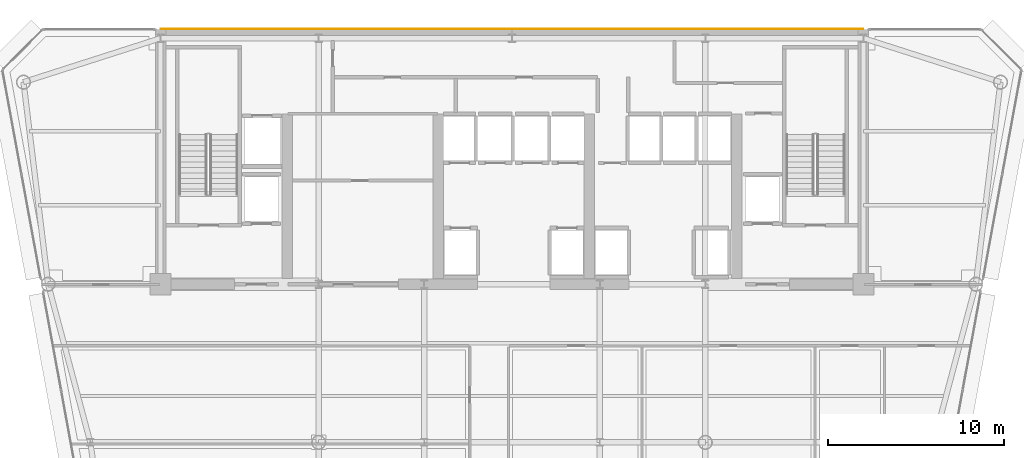
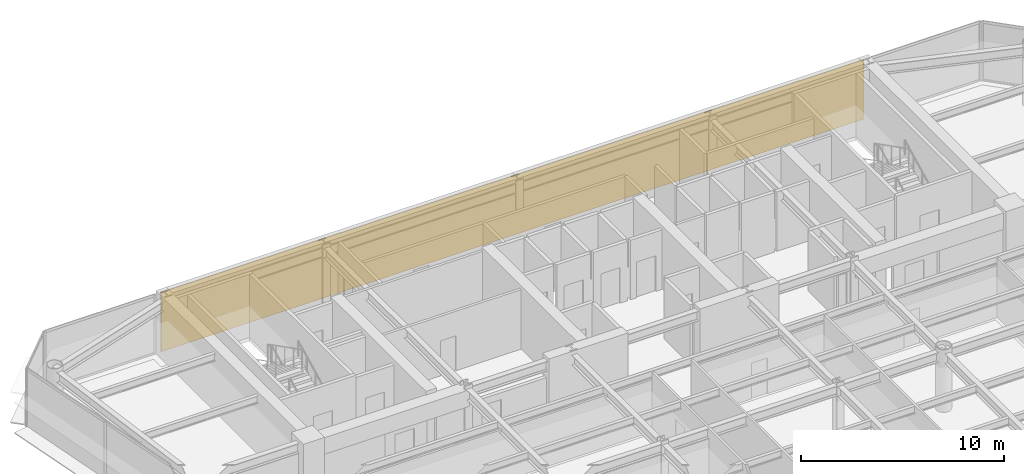
# One storey, part 15 of 16: 1 covering.
"""IFC4 building model written with IfcOpenShell, lengths in metres."""

from ifc_helpers import new_model, si_unit, direction, frame, origin, place, context, subcontext, project, spatial, polyline, outline, extrude, material, layer, layer_set, type_object, element, save


model = new_model("IFC4")

# Units and contexts
model_context = context("Model", 3, precision=1e-05, world=origin(), true_north=direction((0.0, 1.0)))
body_context = subcontext(model_context, "Body", "Model", "MODEL_VIEW")
ifc_project = project(units=[si_unit("LENGTHUNIT", "METRE"), si_unit("AREAUNIT", "SQUARE_METRE"), si_unit("VOLUMEUNIT", "CUBIC_METRE"), si_unit("PLANEANGLEUNIT", "RADIAN"), si_unit("MASSUNIT", "GRAM", prefix="KILO")], contexts=[model_context])

# Site, building, storey
site_placement = place(None, origin())
site = spatial("IfcSite", under=ifc_project, at=site_placement, CompositionType="ELEMENT")
building_placement = place(site_placement, origin())
building = spatial("IfcBuilding", under=site, at=building_placement, Name="Vaeldorn Concourse Tower", CompositionType="ELEMENT")
storey_placement = place(building_placement, frame((0.0, 0.0, 184.199951171875)))
storey = spatial("IfcBuildingStorey", under=building, at=storey_placement, Name="L47", CompositionType="ELEMENT", Elevation=184.199951171875)

# Covering
ifc_material = material(Name="Anodised Bronze Aluminium", Category="aluminium")
ifc_layer = layer(ifc_material, 0.050048828125)
ifc_layer_set = layer_set([ifc_layer], Name="Anodised Bronze Aluminium")
covering_type = type_object("IfcCoveringType", Name="COV-CLAD-BRONZE", PredefinedType="CLADDING", material=ifc_layer_set)
covering_placement = place(storey_placement, origin())
element("IfcCovering", 1, at=covering_placement, inside=storey, type_object=covering_type, Name="Rear Core Bronze Spandrel Cladding L47", PredefinedType="CLADDING", context=body_context, shape_type="SweptSolid", body=[
    extrude(outline(polyline([(14.0, 51.0), (54.0, 51.0), (54.0, 51.050048828125), (14.0, 51.050048828125), (14.0, 51.0)])), origin(), (0.0, 0.0, 1.0), 3.580078125),
])

save(model, "model.ifc")
